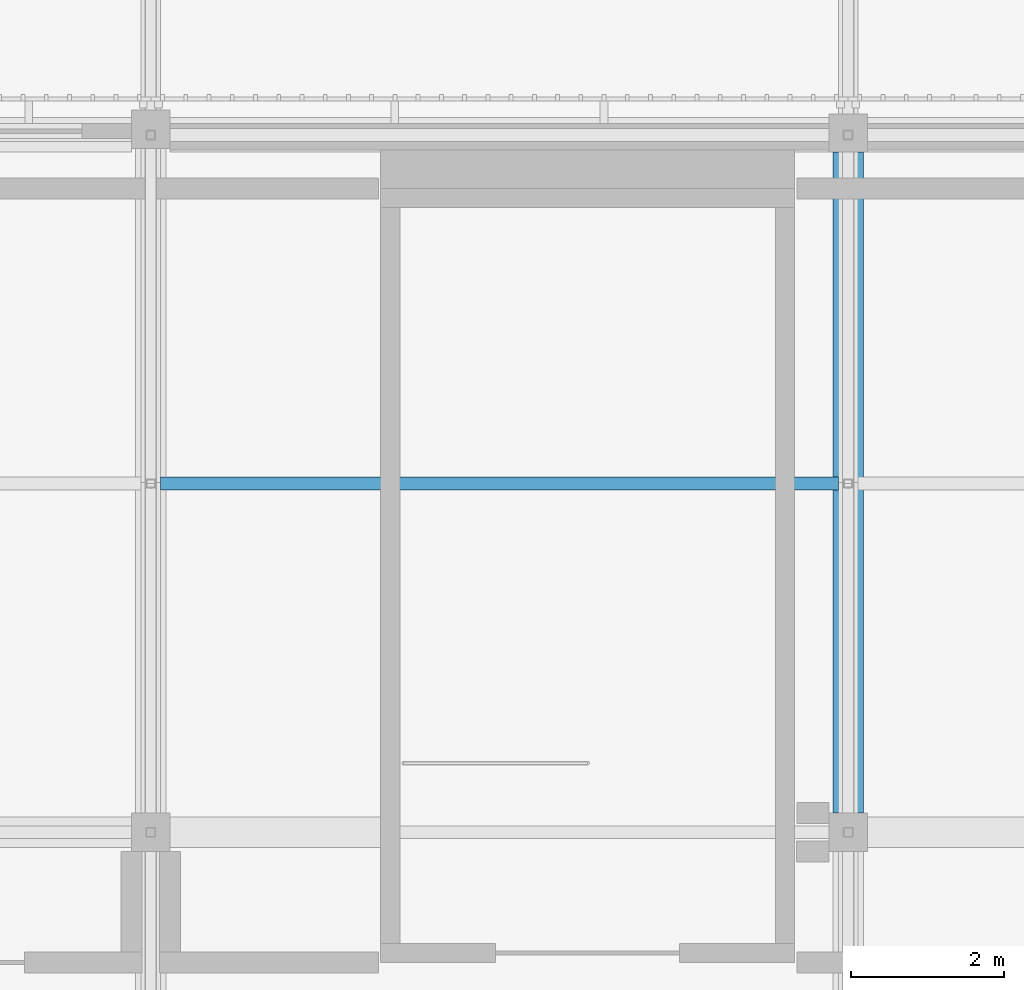
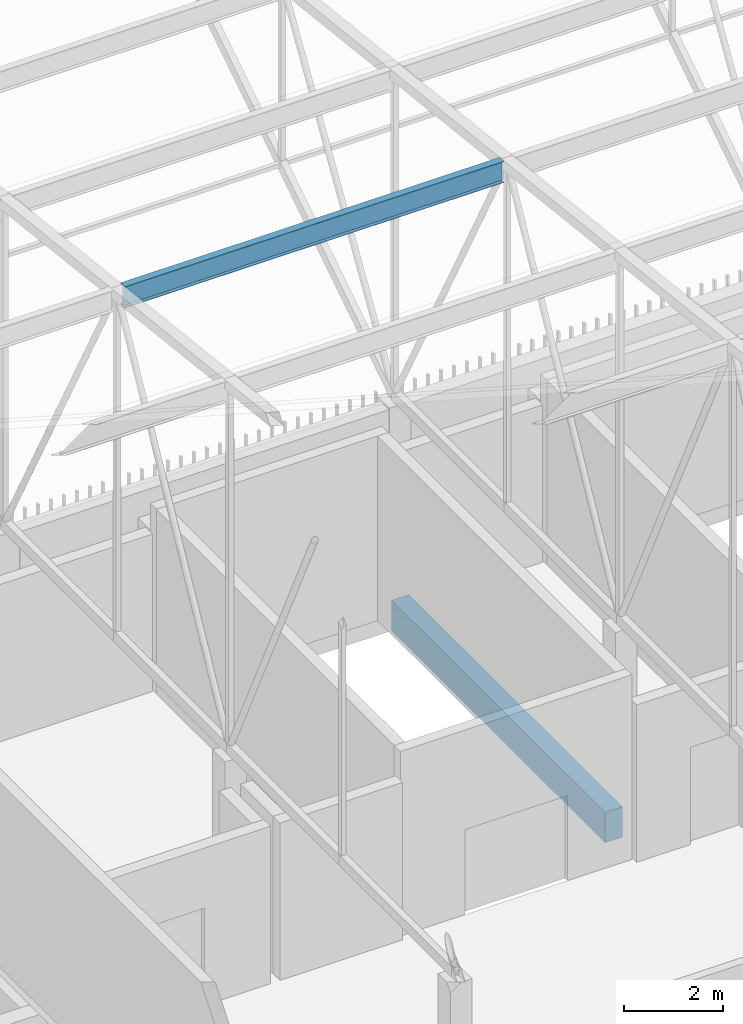
# One storey, part 323 of 500: 1 beam, 1 member.
"""IFC4 building model written with IfcOpenShell, lengths in metres."""

from ifc_helpers import new_model, si_unit, direction, frame, origin, origin_2d, place, context, subcontext, project, spatial, rectangle, i_section, extrude, material, material_profile, profile_set, type_object, element, save


model = new_model("IFC4")

# Units and contexts
model_context = context("Model", 3, precision=1e-05, world=origin(), true_north=direction((0.0, 1.0)))
body_context = subcontext(model_context, "Body", "Model", "MODEL_VIEW")
ifc_project = project(units=[si_unit("LENGTHUNIT", "METRE"), si_unit("AREAUNIT", "SQUARE_METRE"), si_unit("VOLUMEUNIT", "CUBIC_METRE"), si_unit("PLANEANGLEUNIT", "RADIAN"), si_unit("MASSUNIT", "GRAM", prefix="KILO")], contexts=[model_context])

# Site, building, storey
site_placement = place(None, origin())
site = spatial("IfcSite", under=ifc_project, at=site_placement, CompositionType="ELEMENT")
building_placement = place(site_placement, origin())
building = spatial("IfcBuilding", under=site, at=building_placement, Name="Shirokan Park Arena", CompositionType="ELEMENT")
storey_placement = place(building_placement, frame((0.0, 0.0, 29.1201171875)))
storey = spatial("IfcBuildingStorey", under=building, at=storey_placement, Name="L06", CompositionType="ELEMENT", Elevation=29.1201171875)

# Member
ifc_material_1 = material(Name="Steel ASTM A992", Category="steel")
ifc_material_profile_1 = material_profile(ifc_material_1, i_section(OverallWidth=0.166015625, OverallDepth=0.528076171875, WebThickness=0.009765625, FlangeThickness=0.013671875, at=origin_2d()), Name="W530X74")
ifc_profile_set_1 = profile_set([ifc_material_profile_1], Name="Steel ASTM A992")
member_type = type_object("IfcMemberType", Name="Purlin W530X74", PredefinedType="PURLIN", material=ifc_profile_set_1)
member_placement = place(storey_placement, frame((109.326904296875, 104.64990234375, 13.005859375), z_axis=(1.0, 0.0, 0.0), x_axis=(0.0, 1.0, 0.0)))
element("IfcMember", 1, at=member_placement, inside=storey, type_object=member_type, Name="Purlin 26 bay 13", PredefinedType="PURLIN", context=body_context, shape_type="SweptSolid", body=[
    extrude(i_section(OverallWidth=0.166015625, OverallDepth=0.528076171875, WebThickness=0.009765625, FlangeThickness=0.013671875, at=origin_2d()), origin(), (0.0, 0.0, 1.0), 8.84619140625),
])

# Beam
ifc_material_2 = material(Name="Concrete C35", Category="concrete")
ifc_material_profile_2 = material_profile(ifc_material_2, rectangle(XDim=0.39990234375, YDim=0.75, at=origin_2d()), Name="400x750")
ifc_profile_set_2 = profile_set([ifc_material_profile_2], Name="Concrete C35")
beam_type = type_object("IfcBeamType", Name="RC girder 400x750", PredefinedType="BEAM", material=ifc_profile_set_2)
beam_placement = place(storey_placement, frame((118.300048828125, 100.35009765625, -0.5751953125), z_axis=(0.0, 1.0, 0.0), x_axis=(-1.0, 0.0, 0.0)))
element("IfcBeam", 2, at=beam_placement, inside=storey, type_object=beam_type, Name="Girder 14M-14N L06", PredefinedType="BEAM", context=body_context, shape_type="SweptSolid", body=[
    extrude(rectangle(XDim=0.39990234375, YDim=0.75, at=origin_2d()), origin(), (0.0, 0.0, 1.0), 8.624755859375),
])

save(model, "model.ifc")
